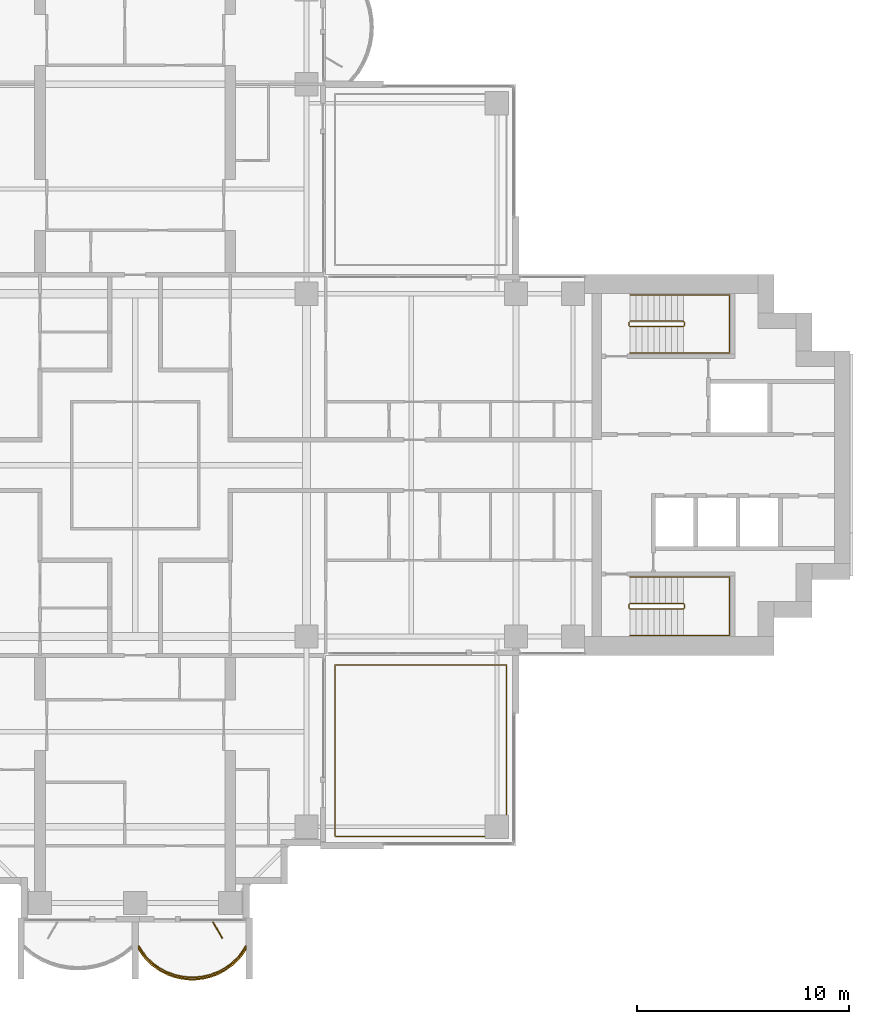
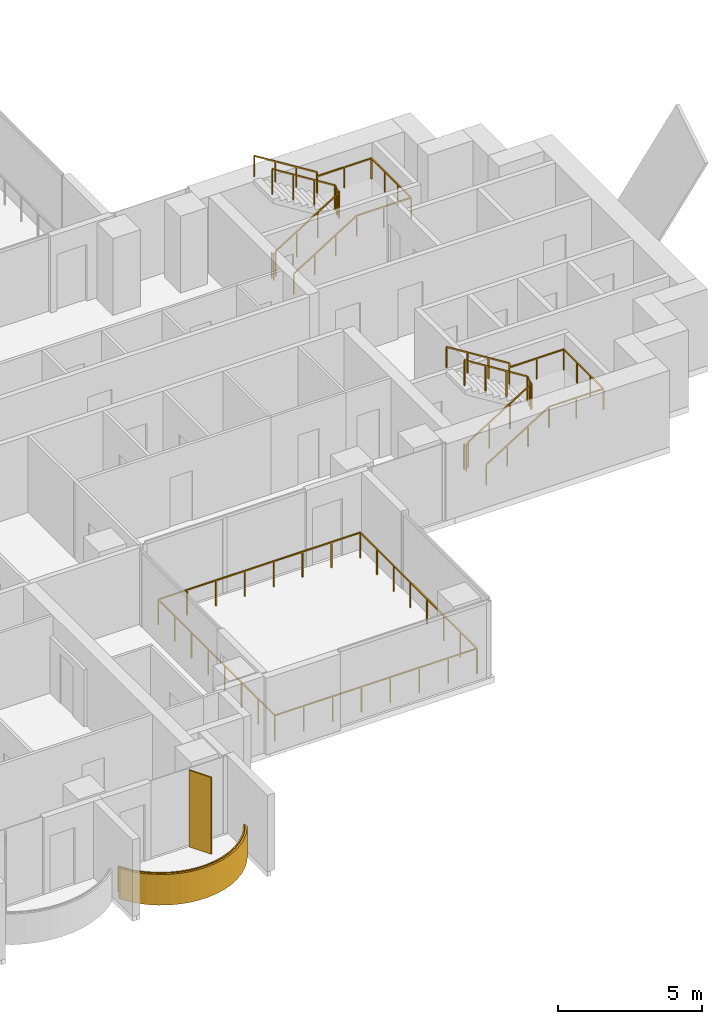
# One storey, part 16 of 18: 6 railings, 1 covering, 1 shading device.
"""IFC4 building model written with IfcOpenShell, lengths in metres."""

import ifcopenshell
import ifcopenshell.guid

model = None  # the IFC model being written
_history = None  # IfcOwnerHistory: only IFC2X3 demands one
_inside = {}  # id of a spatial element -> (the spatial element, [elements in it])
_under = {}  # id of a project, library or spatial element -> (it, [spatial elements below it])
_declared = {}  # id of a project -> (the project, [libraries it declares])
_typed = {}  # id of a type object -> (the type object, [elements of that type])
_made_of = {}  # id of a material, layer set ... -> (it, [elements and type objects made of it])


def new_model(schema):
    """Start an empty IFC model of exactly this schema.

    Asked for "IFC4X3", IfcOpenShell would pick the latest addendum, in which some entities
    have other attributes; the version numbers below select the first issue.
    IFC2X3 requires an IfcOwnerHistory on every rooted entity: one is made here for all.
    """
    global model, _history
    if schema == "IFC4X3":
        model = ifcopenshell.file(schema_version=(4, 3, 0, 0))
    else:
        model = ifcopenshell.file(schema=schema)
    _inside.clear()
    _under.clear()
    _declared.clear()
    _typed.clear()
    _made_of.clear()
    _history = None
    if model.schema == "IFC2X3":
        org = make("IfcOrganization", Name="unknown")
        user = make(
            "IfcPersonAndOrganization",
            ThePerson=make("IfcPerson", FamilyName="unknown"),
            TheOrganization=org,
        )
        app = make(
            "IfcApplication",
            ApplicationDeveloper=org,
            Version="unknown",
            ApplicationFullName="unknown",
            ApplicationIdentifier="unknown",
        )
        _history = make(
            "IfcOwnerHistory",
            OwningUser=user,
            OwningApplication=app,
            ChangeAction="ADDED",
            CreationDate=0,
        )
    return model


def make(cls, **values):
    """One entity of the class cls with the attributes given. An attribute that is None is left unset."""
    return model.create_entity(
        cls, **{name: value for name, value in values.items() if value is not None}
    )


def rooted(cls, **values):
    """An entity with a GlobalId (a new one), such as an element, a storey or a relation."""
    return make(cls, GlobalId=ifcopenshell.guid.new(), OwnerHistory=_history, **values)


def si_unit(unit_type, name, prefix=None):
    """IfcSIUnit, for example si_unit("LENGTHUNIT", "METRE", prefix="MILLI")."""
    return make("IfcSIUnit", UnitType=unit_type, Prefix=prefix, Name=name)


def assignment(units):
    """IfcUnitAssignment: the units of a project."""
    return None if units is None else make("IfcUnitAssignment", Units=units)


def point(xyz):
    """IfcCartesianPoint."""
    return None if xyz is None else make("IfcCartesianPoint", Coordinates=xyz)


def direction(xyz):
    """IfcDirection."""
    return None if xyz is None else make("IfcDirection", DirectionRatios=xyz)


def frame(location, z_axis=None, x_axis=None):
    """IfcAxis2Placement3D, a coordinate frame: its origin and axes. An axis left out is left unset."""
    return make(
        "IfcAxis2Placement3D",
        Location=point(location),
        Axis=direction(z_axis),
        RefDirection=direction(x_axis),
    )


def frame_2d(location, x_axis=None):
    """IfcAxis2Placement2D, a coordinate frame in the plane: its origin and x axis."""
    return make(
        "IfcAxis2Placement2D", Location=point(location), RefDirection=direction(x_axis)
    )


def origin():
    """The frame at (0, 0, 0) with its axes left unset."""
    return frame((0.0, 0.0, 0.0))


def origin_2d():
    """The frame at (0, 0) in the plane with its x axis left unset."""
    return frame_2d((0.0, 0.0))


def place(relative_to, where):
    """IfcLocalPlacement: puts the frame where relative to a parent placement (None: the world)."""
    return make(
        "IfcLocalPlacement", PlacementRelTo=relative_to, RelativePlacement=where
    )


def context(
    kind, dimensions, precision=None, world=None, true_north=None, identifier=None
):
    """IfcGeometricRepresentationContext, for example the 3D "Model" context."""
    return make(
        "IfcGeometricRepresentationContext",
        ContextIdentifier=identifier,
        ContextType=kind,
        CoordinateSpaceDimension=dimensions,
        Precision=precision,
        WorldCoordinateSystem=world,
        TrueNorth=true_north,
    )


def subcontext(parent, identifier, kind, view, scale=None):
    """IfcGeometricRepresentationSubContext, for example "Body" below "Model"."""
    return make(
        "IfcGeometricRepresentationSubContext",
        ContextIdentifier=identifier,
        ContextType=kind,
        ParentContext=parent,
        TargetScale=scale,
        TargetView=view,
    )


def project(units=None, contexts=None):
    """IfcProject with its units and contexts."""
    return rooted(
        "IfcProject",
        Name="project",
        RepresentationContexts=contexts,
        UnitsInContext=assignment(units),
    )


def spatial(cls, under=None, at=None, **own):
    """A site, building, storey or space (cls), placed at a placement, below another one or the project."""
    s = rooted(cls, ObjectPlacement=at, **own)
    if under is not None:
        _under.setdefault(under.id(), (under, []))[1].append(s)
    return s


def polyline(points):
    """IfcPolyline through the points."""
    return make("IfcPolyline", Points=[point(p) for p in points])


def profile(cls, at=None, kind="AREA", **sizes):
    """A parametric profile (cls). Its sizes go by their IFC names, for example OverallWidth=200.0."""
    return make(cls, ProfileType=kind, Position=at, **sizes)


def rectangle(**sizes):
    """IfcRectangleProfileDef."""
    return profile("IfcRectangleProfileDef", **sizes)


def outline(outer, holes=None, kind="AREA"):
    """IfcArbitraryClosedProfileDef: a profile drawn as a closed curve; with holes, ...WithVoids."""
    if holes is None:
        return make("IfcArbitraryClosedProfileDef", ProfileType=kind, OuterCurve=outer)
    return make(
        "IfcArbitraryProfileDefWithVoids",
        ProfileType=kind,
        OuterCurve=outer,
        InnerCurves=holes,
    )


def extrude(swept, where, along, depth):
    """IfcExtrudedAreaSolid: the profile swept, set in the frame where, extruded along a direction by depth."""
    return make(
        "IfcExtrudedAreaSolid",
        SweptArea=swept,
        Position=where,
        ExtrudedDirection=direction(along),
        Depth=depth,
    )


def shape(context_of_items, identifier, shape_type, items):
    """IfcShapeRepresentation: the items that make up one representation, for example the "Body"."""
    return make(
        "IfcShapeRepresentation",
        ContextOfItems=context_of_items,
        RepresentationIdentifier=identifier,
        RepresentationType=shape_type,
        Items=items,
    )


def material(Name=None, Category=None):
    """IfcMaterial."""
    return make("IfcMaterial", Name=Name, Category=Category)


def layer(
    of_material, thickness, ventilated=None, Name=None, Category=None, Priority=None
):
    """IfcMaterialLayer: one layer of a wall or slab, of a material (None: an air gap)."""
    return make(
        "IfcMaterialLayer",
        Material=of_material,
        LayerThickness=thickness,
        IsVentilated=ventilated,
        Name=Name,
        Category=Category,
        Priority=Priority,
    )


def layer_set(layers, Name=None):
    """IfcMaterialLayerSet."""
    return make("IfcMaterialLayerSet", MaterialLayers=layers, LayerSetName=Name)


def made_of(thing, what):
    """Note that an element or type object is made of a material, layer set ...; save() writes the relation."""
    if what is not None:
        _made_of.setdefault(what.id(), (what, []))[1].append(thing)
    return thing


def type_object(cls, material=None, **own):
    """A type object (cls), such as IfcWallType, which elements share."""
    return made_of(rooted(cls, **own), material)


def element(
    cls,
    number,
    at=None,
    inside=None,
    cuts=None,
    type_object=None,
    material=None,
    context=None,
    identifier="Body",
    shape_type=None,
    held_by="IfcProductDefinitionShape",
    body=None,
    shapes=None,
    **own,
):
    """One element of the class cls, such as IfcWall. Its Tag is "e" and its number.

    at: its placement. inside: the storey or other place that contains it. cuts: it is an
    opening in that element (IfcRelVoidsElement). A single representation is given by context,
    identifier, shape_type and body (its items); several are given by shapes. held_by: the class
    of the entity that holds the representations. save() writes the other relations.
    """
    e = rooted(cls, Tag="e%d" % number, ObjectPlacement=at, **own)
    if body is not None:
        shapes = [shape(context, identifier, shape_type, body)]
    if shapes is not None:
        e.Representation = make(held_by, Representations=shapes)
    if inside is not None:
        _inside.setdefault(inside.id(), (inside, []))[1].append(e)
    if cuts is not None:
        rooted(
            "IfcRelVoidsElement", RelatingBuildingElement=cuts, RelatedOpeningElement=e
        )
    if type_object is not None:
        _typed.setdefault(type_object.id(), (type_object, []))[1].append(e)
    return made_of(e, material)


def aggregate(whole, parts):
    """IfcRelAggregates: a whole, such as a stair, and the parts it consists of."""
    return rooted("IfcRelAggregates", RelatingObject=whole, RelatedObjects=parts)


def save(model, path):
    """Write the relations noted so far, then the file.

    IfcRelAggregates (storeys below a building ...), IfcRelContainedInSpatialStructure (elements
    in a storey), IfcRelDefinesByType, IfcRelAssociatesMaterial and IfcRelDeclares: one each for
    every whole, place, type object, material and project.
    """
    for whole, parts in _under.values():
        aggregate(whole, parts)
    for where, things in _inside.values():
        rooted(
            "IfcRelContainedInSpatialStructure",
            RelatedElements=things,
            RelatingStructure=where,
        )
    for kind, things in _typed.values():
        rooted("IfcRelDefinesByType", RelatedObjects=things, RelatingType=kind)
    for what, things in _made_of.values():
        rooted("IfcRelAssociatesMaterial", RelatedObjects=things, RelatingMaterial=what)
    for by, libraries in _declared.values():
        rooted("IfcRelDeclares", RelatingContext=by, RelatedDefinitions=libraries)
    model.write(path)


model = new_model("IFC4")

# Units and contexts
model_context = context("Model", 3, precision=1e-05, world=origin(), true_north=direction((0.0, 1.0)))
body_context = subcontext(model_context, "Body", "Model", "MODEL_VIEW")
ifc_project = project(units=[si_unit("LENGTHUNIT", "METRE"), si_unit("AREAUNIT", "SQUARE_METRE"), si_unit("VOLUMEUNIT", "CUBIC_METRE"), si_unit("PLANEANGLEUNIT", "RADIAN"), si_unit("MASSUNIT", "GRAM", prefix="KILO")], contexts=[model_context])

# Site, building, storey
site_placement = place(None, origin())
site = spatial("IfcSite", under=ifc_project, at=site_placement, CompositionType="ELEMENT")
building_placement = place(site_placement, origin())
building = spatial("IfcBuilding", under=site, at=building_placement, Name="Perihelion Cross Residences", CompositionType="ELEMENT")
storey_placement = place(building_placement, frame((0.0, 0.0, 140.89990234375)))
storey = spatial("IfcBuildingStorey", under=building, at=storey_placement, Name="L34", CompositionType="ELEMENT", Elevation=140.89990234375)

# Covering
ifc_material_1 = material(Name="Bronze anodised aluminium", Category="aluminium")
ifc_layer_1 = layer(ifc_material_1, 0.070068359375)
ifc_layer_set_1 = layer_set([ifc_layer_1], Name="Balcony fascia 1300")
covering_type = type_object("IfcCoveringType", Name="Balcony fascia 1300", PredefinedType="CLADDING", material=ifc_layer_set_1)
covering_placement = place(storey_placement, frame((0.0, 0.0, -0.199951171875)))
element("IfcCovering", 1, at=covering_placement, inside=storey, type_object=covering_type, Name="Fascia BF1 L34 south tip south bay 2", PredefinedType="CLADDING", context=body_context, shape_type="SweptSolid", body=[
    extrude(outline(polyline([(0.43701171875, -23.322509765625), (0.78515625, -23.66064453125), (1.13330078125, -23.90869140625), (1.4814453125, -24.091064453125), (1.82958984375, -24.22021484375), (2.177734375, -24.30322265625), (2.52587890625, -24.343994140625), (2.8740234375, -24.343994140625), (3.22216796875, -24.30322265625), (3.5703125, -24.22021484375), (3.91845703125, -24.091064453125), (4.2666015625, -23.90869140625), (4.61474609375, -23.66064453125), (4.963134765625, -23.322509765625), (5.25, -22.92041015625), (5.25, -22.800048828125), (4.909912109375, -23.27685546875), (4.570068359375, -23.60693359375), (4.22998046875, -23.84912109375), (3.889892578125, -24.027099609375), (3.550048828125, -24.1533203125), (3.2099609375, -24.234375), (2.8701171875, -24.274169921875), (2.530029296875, -24.274169921875), (2.18994140625, -24.234375), (1.85009765625, -24.1533203125), (1.510009765625, -24.027099609375), (1.169921875, -23.84912109375), (0.830078125, -23.60693359375), (0.489990234375, -23.27685546875), (0.14990234375, -22.800048828125), (0.14990234375, -22.92041015625), (0.43701171875, -23.322509765625)])), origin(), (0.0, 0.0, 1.0), 1.300048828125),
])

# Railings
ifc_material_2 = material(Name="Bronze anodised aluminium", Category="aluminium")
railing_type_1 = type_object("IfcRailingType", Name="Balcony guard 1100", PredefinedType="GUARDRAIL", material=ifc_material_2)
railing_1_placement = place(storey_placement, frame((0.175048828125, -22.739990234375, 0.0)))
element("IfcRailing", 2, at=railing_1_placement, inside=storey, type_object=railing_type_1, Name="Guard GU1 L34 south tip south bay 2 balcony", PredefinedType="GUARDRAIL", context=body_context, shape_type="SweptSolid", body=[
    extrude(rectangle(XDim=0.048095703125, YDim=0.048095703125, at=origin_2d()), frame((0.0, 0.0, 1.076171875), z_axis=(0.551145731138, -0.834409002258, 0.0), x_axis=(0.834409002258, 0.551145731138, 0.0)), (0.0, 0.0, 1.0), 0.571533203125),
    extrude(rectangle(XDim=0.048095703125, YDim=0.048095703125, at=origin_2d()), frame((0.31494140625, -0.476806640625, 1.076171875), z_axis=(0.717588263781, -0.696467575472, 0.0), x_axis=(0.696467575472, 0.717588263781, 0.0)), (0.0, 0.0, 1.0), 0.473876953125),
    extrude(rectangle(XDim=0.048095703125, YDim=0.048095703125, at=origin_2d()), frame((0.655029296875, -0.806884765625, 1.076171875), z_axis=(0.814365457194, -0.580352394782, 0.0), x_axis=(0.580352394782, 0.814365457194, 0.0)), (0.0, 0.0, 1.0), 0.417236328125),
    extrude(rectangle(XDim=0.048095703125, YDim=0.048095703125, at=origin_2d()), frame((0.994873046875, -1.049072265625, 1.076171875), z_axis=(0.885744400902, -0.464173304134, 0.0), x_axis=(0.464173304134, 0.885744400902, 0.0)), (0.0, 0.0, 1.0), 0.384033203125),
    extrude(rectangle(XDim=0.048095703125, YDim=0.048095703125, at=origin_2d()), frame((1.3349609375, -1.227294921875, 1.076171875), z_axis=(0.937732519052, -0.347358205191, 0.0), x_axis=(0.347358205191, 0.937732519052, 0.0)), (0.0, 0.0, 1.0), 0.362548828125),
    extrude(rectangle(XDim=0.048095703125, YDim=0.048095703125, at=origin_2d()), frame((1.675048828125, -1.353271484375, 1.076171875), z_axis=(0.972716168284, -0.231998396458, 0.0), x_axis=(0.231998396458, 0.972716168284, 0.0)), (0.0, 0.0, 1.0), 0.349365234375),
    extrude(rectangle(XDim=0.048095703125, YDim=0.048095703125, at=origin_2d()), frame((2.014892578125, -1.434326171875, 1.076171875), z_axis=(0.993223414934, -0.116220686744, 0.0), x_axis=(0.116220686744, 0.993223414934, 0.0)), (0.0, 0.0, 1.0), 0.342529296875),
    extrude(rectangle(XDim=0.048095703125, YDim=0.048095703125, at=origin_2d()), frame((2.35498046875, -1.47412109375, 1.076171875), z_axis=(1.0, 0.0, 0.0), x_axis=(0.0, 1.0, 0.0)), (0.0, 0.0, 1.0), 0.340087890625),
    extrude(rectangle(XDim=0.048095703125, YDim=0.048095703125, at=origin_2d()), frame((2.695068359375, -1.47412109375, 1.076171875), z_axis=(0.993213773886, 0.116303049672, 0.0), x_axis=(-0.116303049672, 0.993213773886, 0.0)), (0.0, 0.0, 1.0), 0.34228515625),
    extrude(rectangle(XDim=0.048095703125, YDim=0.048095703125, at=origin_2d()), frame((3.034912109375, -1.434326171875, 1.076171875), z_axis=(0.972753741142, 0.231840805498, 0.0), x_axis=(-0.231840805498, 0.972753741142, 0.0)), (0.0, 0.0, 1.0), 0.349609375),
    extrude(rectangle(XDim=0.048095703125, YDim=0.048095703125, at=origin_2d()), frame((3.375, -1.353271484375, 1.076171875), z_axis=(0.937651218339, 0.347577606798, 0.0), x_axis=(-0.347577606798, 0.937651218339, 0.0)), (0.0, 0.0, 1.0), 0.362548828125),
    extrude(rectangle(XDim=0.048095703125, YDim=0.048095703125, at=origin_2d()), frame((3.71484375, -1.227294921875, 1.076171875), z_axis=(0.885744400902, 0.464173304134, 0.0), x_axis=(-0.464173304134, 0.885744400902, 0.0)), (0.0, 0.0, 1.0), 0.384033203125),
    extrude(rectangle(XDim=0.048095703125, YDim=0.048095703125, at=origin_2d()), frame((4.054931640625, -1.049072265625, 1.076171875), z_axis=(0.814562360662, 0.580075995532, 0.0), x_axis=(-0.580075995532, 0.814562360662, 0.0)), (0.0, 0.0, 1.0), 0.41748046875),
    extrude(rectangle(XDim=0.048095703125, YDim=0.048095703125, at=origin_2d()), frame((4.39501953125, -0.806884765625, 1.076171875), z_axis=(0.71733824833, 0.696725080274, 0.0), x_axis=(-0.696725080274, 0.71733824833, 0.0)), (0.0, 0.0, 1.0), 0.473876953125),
    extrude(rectangle(XDim=0.048095703125, YDim=0.048095703125, at=origin_2d()), frame((4.73486328125, -0.476806640625, 1.076171875), z_axis=(0.55144309028, 0.834212513801, 0.0), x_axis=(-0.834212513801, 0.55144309028, 0.0)), (0.0, 0.0, 1.0), 0.571533203125),
    extrude(rectangle(XDim=0.0419921875, YDim=0.0419921875, at=origin_2d()), origin(), (0.0, 0.0, 1.0), 1.052001953125),
    extrude(rectangle(XDim=0.0419921875, YDim=0.0419921875, at=origin_2d()), frame((0.31494140625, -0.476806640625, 0.0)), (0.0, 0.0, 1.0), 1.052001953125),
    extrude(rectangle(XDim=0.0419921875, YDim=0.0419921875, at=origin_2d()), frame((0.655029296875, -0.806884765625, 0.0)), (0.0, 0.0, 1.0), 1.052001953125),
    extrude(rectangle(XDim=0.0419921875, YDim=0.0419921875, at=origin_2d()), frame((0.994873046875, -1.049072265625, 0.0)), (0.0, 0.0, 1.0), 1.052001953125),
    extrude(rectangle(XDim=0.0419921875, YDim=0.0419921875, at=origin_2d()), frame((1.3349609375, -1.227294921875, 0.0)), (0.0, 0.0, 1.0), 1.052001953125),
    extrude(rectangle(XDim=0.0419921875, YDim=0.0419921875, at=origin_2d()), frame((1.675048828125, -1.353271484375, 0.0)), (0.0, 0.0, 1.0), 1.052001953125),
    extrude(rectangle(XDim=0.0419921875, YDim=0.0419921875, at=origin_2d()), frame((2.014892578125, -1.434326171875, 0.0)), (0.0, 0.0, 1.0), 1.052001953125),
    extrude(rectangle(XDim=0.0419921875, YDim=0.0419921875, at=origin_2d()), frame((2.35498046875, -1.47412109375, 0.0)), (0.0, 0.0, 1.0), 1.052001953125),
    extrude(rectangle(XDim=0.0419921875, YDim=0.0419921875, at=origin_2d()), frame((2.695068359375, -1.47412109375, 0.0)), (0.0, 0.0, 1.0), 1.052001953125),
    extrude(rectangle(XDim=0.0419921875, YDim=0.0419921875, at=origin_2d()), frame((3.034912109375, -1.434326171875, 0.0)), (0.0, 0.0, 1.0), 1.052001953125),
    extrude(rectangle(XDim=0.0419921875, YDim=0.0419921875, at=origin_2d()), frame((3.375, -1.353271484375, 0.0)), (0.0, 0.0, 1.0), 1.052001953125),
    extrude(rectangle(XDim=0.0419921875, YDim=0.0419921875, at=origin_2d()), frame((3.71484375, -1.227294921875, 0.0)), (0.0, 0.0, 1.0), 1.052001953125),
    extrude(rectangle(XDim=0.0419921875, YDim=0.0419921875, at=origin_2d()), frame((4.054931640625, -1.049072265625, 0.0)), (0.0, 0.0, 1.0), 1.052001953125),
    extrude(rectangle(XDim=0.0419921875, YDim=0.0419921875, at=origin_2d()), frame((4.39501953125, -0.806884765625, 0.0)), (0.0, 0.0, 1.0), 1.052001953125),
    extrude(rectangle(XDim=0.0419921875, YDim=0.0419921875, at=origin_2d()), frame((4.73486328125, -0.476806640625, 0.0)), (0.0, 0.0, 1.0), 1.052001953125),
    extrude(rectangle(XDim=0.0419921875, YDim=0.0419921875, at=origin_2d()), frame((5.050048828125, 0.0, 0.0)), (0.0, 0.0, 1.0), 1.052001953125),
])
railing_2_placement = place(storey_placement, frame((17.550048828125, -17.550048828125, 0.0)))
element("IfcRailing", 3, at=railing_2_placement, inside=storey, type_object=railing_type_1, Name="Guard GU1 L34 pocket south-east 1", PredefinedType="GUARDRAIL", context=body_context, shape_type="SweptSolid", body=[
    extrude(rectangle(XDim=0.048095703125, YDim=0.048095703125, at=origin_2d()), frame((0.0, 0.0, 1.076171875), z_axis=(-1.0, 0.0, 0.0), x_axis=(0.0, -1.0, 0.0)), (0.0, 0.0, 1.0), 8.10009765625),
    extrude(rectangle(XDim=0.048095703125, YDim=0.048095703125, at=origin_2d()), frame((-8.10009765625, 0.0, 1.076171875), z_axis=(0.0, 1.0, 0.0), x_axis=(-1.0, 0.0, 0.0)), (0.0, 0.0, 1.0), 8.10009765625),
    extrude(rectangle(XDim=0.048095703125, YDim=0.048095703125, at=origin_2d()), frame((-8.10009765625, 8.10009765625, 1.076171875), z_axis=(1.0, 0.0, 0.0), x_axis=(0.0, 1.0, 0.0)), (0.0, 0.0, 1.0), 8.10009765625),
    extrude(rectangle(XDim=0.048095703125, YDim=0.048095703125, at=origin_2d()), frame((0.0, 8.10009765625, 1.076171875), z_axis=(0.0, -1.0, 0.0), x_axis=(1.0, 0.0, 0.0)), (0.0, 0.0, 1.0), 8.10009765625),
    extrude(rectangle(XDim=0.0419921875, YDim=0.0419921875, at=origin_2d()), origin(), (0.0, 0.0, 1.0), 1.052001953125),
    extrude(rectangle(XDim=0.0419921875, YDim=0.0419921875, at=origin_2d()), frame((-1.1572265625, 0.0, 0.0)), (0.0, 0.0, 1.0), 1.052001953125),
    extrude(rectangle(XDim=0.0419921875, YDim=0.0419921875, at=origin_2d()), frame((-2.314208984375, 0.0, 0.0)), (0.0, 0.0, 1.0), 1.052001953125),
    extrude(rectangle(XDim=0.0419921875, YDim=0.0419921875, at=origin_2d()), frame((-3.471435546875, 0.0, 0.0)), (0.0, 0.0, 1.0), 1.052001953125),
    extrude(rectangle(XDim=0.0419921875, YDim=0.0419921875, at=origin_2d()), frame((-4.628662109375, 0.0, 0.0)), (0.0, 0.0, 1.0), 1.052001953125),
    extrude(rectangle(XDim=0.0419921875, YDim=0.0419921875, at=origin_2d()), frame((-5.785888671875, 0.0, 0.0)), (0.0, 0.0, 1.0), 1.052001953125),
    extrude(rectangle(XDim=0.0419921875, YDim=0.0419921875, at=origin_2d()), frame((-6.94287109375, 0.0, 0.0)), (0.0, 0.0, 1.0), 1.052001953125),
    extrude(rectangle(XDim=0.0419921875, YDim=0.0419921875, at=origin_2d()), frame((-8.10009765625, 0.0, 0.0)), (0.0, 0.0, 1.0), 1.052001953125),
    extrude(rectangle(XDim=0.0419921875, YDim=0.0419921875, at=origin_2d()), frame((-8.10009765625, 1.1572265625, 0.0)), (0.0, 0.0, 1.0), 1.052001953125),
    extrude(rectangle(XDim=0.0419921875, YDim=0.0419921875, at=origin_2d()), frame((-8.10009765625, 2.314208984375, 0.0)), (0.0, 0.0, 1.0), 1.052001953125),
    extrude(rectangle(XDim=0.0419921875, YDim=0.0419921875, at=origin_2d()), frame((-8.10009765625, 3.471435546875, 0.0)), (0.0, 0.0, 1.0), 1.052001953125),
    extrude(rectangle(XDim=0.0419921875, YDim=0.0419921875, at=origin_2d()), frame((-8.10009765625, 4.628662109375, 0.0)), (0.0, 0.0, 1.0), 1.052001953125),
    extrude(rectangle(XDim=0.0419921875, YDim=0.0419921875, at=origin_2d()), frame((-8.10009765625, 5.785888671875, 0.0)), (0.0, 0.0, 1.0), 1.052001953125),
    extrude(rectangle(XDim=0.0419921875, YDim=0.0419921875, at=origin_2d()), frame((-8.10009765625, 6.94287109375, 0.0)), (0.0, 0.0, 1.0), 1.052001953125),
    extrude(rectangle(XDim=0.0419921875, YDim=0.0419921875, at=origin_2d()), frame((-8.10009765625, 8.10009765625, 0.0)), (0.0, 0.0, 1.0), 1.052001953125),
    extrude(rectangle(XDim=0.0419921875, YDim=0.0419921875, at=origin_2d()), frame((-6.94287109375, 8.10009765625, 0.0)), (0.0, 0.0, 1.0), 1.052001953125),
    extrude(rectangle(XDim=0.0419921875, YDim=0.0419921875, at=origin_2d()), frame((-5.785888671875, 8.10009765625, 0.0)), (0.0, 0.0, 1.0), 1.052001953125),
    extrude(rectangle(XDim=0.0419921875, YDim=0.0419921875, at=origin_2d()), frame((-4.628662109375, 8.10009765625, 0.0)), (0.0, 0.0, 1.0), 1.052001953125),
    extrude(rectangle(XDim=0.0419921875, YDim=0.0419921875, at=origin_2d()), frame((-3.471435546875, 8.10009765625, 0.0)), (0.0, 0.0, 1.0), 1.052001953125),
    extrude(rectangle(XDim=0.0419921875, YDim=0.0419921875, at=origin_2d()), frame((-2.314208984375, 8.10009765625, 0.0)), (0.0, 0.0, 1.0), 1.052001953125),
    extrude(rectangle(XDim=0.0419921875, YDim=0.0419921875, at=origin_2d()), frame((-1.1572265625, 8.10009765625, 0.0)), (0.0, 0.0, 1.0), 1.052001953125),
    extrude(rectangle(XDim=0.0419921875, YDim=0.0419921875, at=origin_2d()), frame((0.0, 8.10009765625, 0.0)), (0.0, 0.0, 1.0), 1.052001953125),
    extrude(rectangle(XDim=0.0419921875, YDim=0.0419921875, at=origin_2d()), frame((0.0, 6.94287109375, 0.0)), (0.0, 0.0, 1.0), 1.052001953125),
    extrude(rectangle(XDim=0.0419921875, YDim=0.0419921875, at=origin_2d()), frame((0.0, 5.785888671875, 0.0)), (0.0, 0.0, 1.0), 1.052001953125),
    extrude(rectangle(XDim=0.0419921875, YDim=0.0419921875, at=origin_2d()), frame((0.0, 4.628662109375, 0.0)), (0.0, 0.0, 1.0), 1.052001953125),
    extrude(rectangle(XDim=0.0419921875, YDim=0.0419921875, at=origin_2d()), frame((0.0, 3.471435546875, 0.0)), (0.0, 0.0, 1.0), 1.052001953125),
    extrude(rectangle(XDim=0.0419921875, YDim=0.0419921875, at=origin_2d()), frame((0.0, 2.314208984375, 0.0)), (0.0, 0.0, 1.0), 1.052001953125),
    extrude(rectangle(XDim=0.0419921875, YDim=0.0419921875, at=origin_2d()), frame((0.0, 1.1572265625, 0.0)), (0.0, 0.0, 1.0), 1.052001953125),
])

# Shading device
ifc_material_3 = material(Name="Bronze anodised aluminium", Category="aluminium")
ifc_layer_2 = layer(ifc_material_3, 0.050048828125)
ifc_layer_set_2 = layer_set([ifc_layer_2], Name="Bronze fin 900")
shading_device_type = type_object("IfcShadingDeviceType", Name="Bronze fin 900", PredefinedType="USERDEFINED", material=ifc_layer_set_2)
shading_device_placement = place(storey_placement, frame((3.89990234375, -21.98974609375, 0.0), z_axis=(0.0, 0.0, 1.0), x_axis=(0.5, -0.866025403784, 0.0)))
element("IfcShadingDevice", 4, at=shading_device_placement, inside=storey, type_object=shading_device_type, Name="Fin FN1 L34 south tip south bay 2", ObjectType="FIN", PredefinedType="USERDEFINED", context=body_context, shape_type="SweptSolid", body=[
    extrude(rectangle(XDim=0.89990234375, YDim=0.050048828125, at=origin_2d()), origin(), (0.0, 0.0, 1.0), 3.25),
])

# Railings
ifc_material_4 = material(Name="Stainless steel", Category="steel")
railing_type_2 = type_object("IfcRailingType", Name="Stair guard 1100", PredefinedType="GUARDRAIL", material=ifc_material_4)
railing_3_placement = place(storey_placement, frame((23.35009765625, 6.75, 0.0)))
element("IfcRailing", 5, at=railing_3_placement, inside=storey, type_object=railing_type_2, Name="L34 ST-E1 stair guard 1", PredefinedType="GUARDRAIL", context=body_context, shape_type="SweptSolid", body=[
    extrude(rectangle(XDim=0.048095703125, YDim=0.048095703125, at=origin_2d()), frame((0.0, 0.0, 1.076171875), z_axis=(0.0, -1.0, 0.0), x_axis=(1.0, 0.0, 0.0)), (0.0, 0.0, 1.0), 0.14990234375),
    extrude(rectangle(XDim=0.048095703125, YDim=0.048095703125, at=origin_2d()), frame((0.0, -0.14990234375, 1.076171875), z_axis=(0.263862480399, -0.265155923931, 0.927399011991), x_axis=(0.708833529934, 0.705375805398, 0.0)), (0.0, 0.0, 1.0), 0.188720703125),
    extrude(rectangle(XDim=0.048095703125, YDim=0.048095703125, at=origin_2d()), frame((0.0498046875, -0.199951171875, 1.2509765625), z_axis=(0.848007534815, 0.0, 0.529984170421), x_axis=(0.0, 1.0, 0.0)), (0.0, 0.0, 1.0), 2.9716796875),
    extrude(rectangle(XDim=0.048095703125, YDim=0.048095703125, at=origin_2d()), frame((2.56982421875, -0.199951171875, 2.826171875), z_axis=(0.707106781187, 0.707106781187, 0.0), x_axis=(-0.707106781187, 0.707106781187, 0.0)), (0.0, 0.0, 1.0), 0.07080078125),
    extrude(rectangle(XDim=0.048095703125, YDim=0.048095703125, at=origin_2d()), frame((2.619873046875, -0.14990234375, 2.826171875), z_axis=(0.0, 1.0, 0.0), x_axis=(-1.0, 0.0, 0.0)), (0.0, 0.0, 1.0), 0.14990234375),
    extrude(rectangle(XDim=0.048095703125, YDim=0.048095703125, at=origin_2d()), frame((2.619873046875, 0.0, 2.826171875), z_axis=(-0.265065253269, 0.265065253269, 0.927081885822), x_axis=(-0.707106781187, -0.707106781187, 0.0)), (0.0, 0.0, 1.0), 0.188720703125),
    extrude(rectangle(XDim=0.048095703125, YDim=0.048095703125, at=origin_2d()), frame((2.56982421875, 0.050048828125, 3.0009765625), z_axis=(-0.848007534815, 0.0, 0.529984170421), x_axis=(0.0, -1.0, 0.0)), (0.0, 0.0, 1.0), 2.9716796875),
    extrude(rectangle(XDim=0.0419921875, YDim=0.0419921875, at=origin_2d()), origin(), (0.0, 0.0, 1.0), 1.052001953125),
    extrude(rectangle(XDim=0.0419921875, YDim=0.0419921875, at=origin_2d()), frame((0.0, -0.14990234375, 0.0)), (0.0, 0.0, 1.0), 1.052001953125),
    extrude(rectangle(XDim=0.0419921875, YDim=0.0419921875, at=origin_2d()), frame((0.0498046875, -0.199951171875, 0.175048828125)), (0.0, 0.0, 1.0), 1.052001953125),
    extrude(rectangle(XDim=0.0419921875, YDim=0.0419921875, at=origin_2d()), frame((0.889892578125, -0.199951171875, 0.699951171875)), (0.0, 0.0, 1.0), 1.052001953125),
    extrude(rectangle(XDim=0.0419921875, YDim=0.0419921875, at=origin_2d()), frame((1.729736328125, -0.199951171875, 1.22509765625)), (0.0, 0.0, 1.0), 1.052001953125),
    extrude(rectangle(XDim=0.0419921875, YDim=0.0419921875, at=origin_2d()), frame((2.56982421875, -0.199951171875, 1.75)), (0.0, 0.0, 1.0), 1.052001953125),
    extrude(rectangle(XDim=0.0419921875, YDim=0.0419921875, at=origin_2d()), frame((2.619873046875, -0.14990234375, 1.75)), (0.0, 0.0, 1.0), 1.052001953125),
    extrude(rectangle(XDim=0.0419921875, YDim=0.0419921875, at=origin_2d()), frame((2.619873046875, 0.0, 1.75)), (0.0, 0.0, 1.0), 1.052001953125),
    extrude(rectangle(XDim=0.0419921875, YDim=0.0419921875, at=origin_2d()), frame((2.56982421875, 0.050048828125, 1.925048828125)), (0.0, 0.0, 1.0), 1.052001953125),
    extrude(rectangle(XDim=0.0419921875, YDim=0.0419921875, at=origin_2d()), frame((1.729736328125, 0.050048828125, 2.449951171875)), (0.0, 0.0, 1.0), 1.052001953125),
    extrude(rectangle(XDim=0.0419921875, YDim=0.0419921875, at=origin_2d()), frame((0.889892578125, 0.050048828125, 2.97509765625)), (0.0, 0.0, 1.0), 1.052001953125),
    extrude(rectangle(XDim=0.0419921875, YDim=0.0419921875, at=origin_2d()), frame((0.0498046875, 0.050048828125, 3.5)), (0.0, 0.0, 1.0), 1.052001953125),
])
railing_4_placement = place(storey_placement, frame((23.35009765625, -6.60009765625, 0.0)))
element("IfcRailing", 6, at=railing_4_placement, inside=storey, type_object=railing_type_2, Name="L34 ST-E2 stair guard 1", PredefinedType="GUARDRAIL", context=body_context, shape_type="SweptSolid", body=[
    extrude(rectangle(XDim=0.048095703125, YDim=0.048095703125, at=origin_2d()), frame((0.0, 0.0, 1.076171875), z_axis=(0.0, -1.0, 0.0), x_axis=(1.0, 0.0, 0.0)), (0.0, 0.0, 1.0), 0.14990234375),
    extrude(rectangle(XDim=0.048095703125, YDim=0.048095703125, at=origin_2d()), frame((0.0, -0.14990234375, 1.076171875), z_axis=(0.263862480399, -0.265155923931, 0.927399011991), x_axis=(0.708833529934, 0.705375805398, 0.0)), (0.0, 0.0, 1.0), 0.188720703125),
    extrude(rectangle(XDim=0.048095703125, YDim=0.048095703125, at=origin_2d()), frame((0.0498046875, -0.199951171875, 1.2509765625), z_axis=(0.848007534815, 0.0, 0.529984170421), x_axis=(0.0, 1.0, 0.0)), (0.0, 0.0, 1.0), 2.9716796875),
    extrude(rectangle(XDim=0.048095703125, YDim=0.048095703125, at=origin_2d()), frame((2.56982421875, -0.199951171875, 2.826171875), z_axis=(0.707106781187, 0.707106781187, 0.0), x_axis=(-0.707106781187, 0.707106781187, 0.0)), (0.0, 0.0, 1.0), 0.07080078125),
    extrude(rectangle(XDim=0.048095703125, YDim=0.048095703125, at=origin_2d()), frame((2.619873046875, -0.14990234375, 2.826171875), z_axis=(0.0, 1.0, 0.0), x_axis=(-1.0, 0.0, 0.0)), (0.0, 0.0, 1.0), 0.14990234375),
    extrude(rectangle(XDim=0.048095703125, YDim=0.048095703125, at=origin_2d()), frame((2.619873046875, 0.0, 2.826171875), z_axis=(-0.265065253269, 0.265065253269, 0.927081885822), x_axis=(-0.707106781187, -0.707106781187, 0.0)), (0.0, 0.0, 1.0), 0.188720703125),
    extrude(rectangle(XDim=0.048095703125, YDim=0.048095703125, at=origin_2d()), frame((2.56982421875, 0.050048828125, 3.0009765625), z_axis=(-0.848007534815, 0.0, 0.529984170421), x_axis=(0.0, -1.0, 0.0)), (0.0, 0.0, 1.0), 2.9716796875),
    extrude(rectangle(XDim=0.0419921875, YDim=0.0419921875, at=origin_2d()), origin(), (0.0, 0.0, 1.0), 1.052001953125),
    extrude(rectangle(XDim=0.0419921875, YDim=0.0419921875, at=origin_2d()), frame((0.0, -0.14990234375, 0.0)), (0.0, 0.0, 1.0), 1.052001953125),
    extrude(rectangle(XDim=0.0419921875, YDim=0.0419921875, at=origin_2d()), frame((0.0498046875, -0.199951171875, 0.175048828125)), (0.0, 0.0, 1.0), 1.052001953125),
    extrude(rectangle(XDim=0.0419921875, YDim=0.0419921875, at=origin_2d()), frame((0.889892578125, -0.199951171875, 0.699951171875)), (0.0, 0.0, 1.0), 1.052001953125),
    extrude(rectangle(XDim=0.0419921875, YDim=0.0419921875, at=origin_2d()), frame((1.729736328125, -0.199951171875, 1.22509765625)), (0.0, 0.0, 1.0), 1.052001953125),
    extrude(rectangle(XDim=0.0419921875, YDim=0.0419921875, at=origin_2d()), frame((2.56982421875, -0.199951171875, 1.75)), (0.0, 0.0, 1.0), 1.052001953125),
    extrude(rectangle(XDim=0.0419921875, YDim=0.0419921875, at=origin_2d()), frame((2.619873046875, -0.14990234375, 1.75)), (0.0, 0.0, 1.0), 1.052001953125),
    extrude(rectangle(XDim=0.0419921875, YDim=0.0419921875, at=origin_2d()), frame((2.619873046875, 0.0, 1.75)), (0.0, 0.0, 1.0), 1.052001953125),
    extrude(rectangle(XDim=0.0419921875, YDim=0.0419921875, at=origin_2d()), frame((2.56982421875, 0.050048828125, 1.925048828125)), (0.0, 0.0, 1.0), 1.052001953125),
    extrude(rectangle(XDim=0.0419921875, YDim=0.0419921875, at=origin_2d()), frame((1.729736328125, 0.050048828125, 2.449951171875)), (0.0, 0.0, 1.0), 1.052001953125),
    extrude(rectangle(XDim=0.0419921875, YDim=0.0419921875, at=origin_2d()), frame((0.889892578125, 0.050048828125, 2.97509765625)), (0.0, 0.0, 1.0), 1.052001953125),
    extrude(rectangle(XDim=0.0419921875, YDim=0.0419921875, at=origin_2d()), frame((0.0498046875, 0.050048828125, 3.5)), (0.0, 0.0, 1.0), 1.052001953125),
])
ifc_material_5 = material(Name="Stainless steel", Category="steel")
railing_type_3 = type_object("IfcRailingType", Name="Stair handrail 900", PredefinedType="HANDRAIL", material=ifc_material_5)
railing_5_placement = place(storey_placement, frame((23.39990234375, 5.300048828125, 0.175048828125)))
element("IfcRailing", 7, at=railing_5_placement, inside=storey, type_object=railing_type_3, Name="L34 ST-E1 stair handrail 1", PredefinedType="HANDRAIL", context=body_context, shape_type="SweptSolid", body=[
    extrude(rectangle(XDim=0.048095703125, YDim=0.048095703125, at=origin_2d()), frame((0.0, 0.0, 0.8759765625), z_axis=(0.848007534815, 0.0, 0.529984170421), x_axis=(0.0, 1.0, 0.0)), (0.0, 0.0, 1.0), 2.9716796875),
    extrude(rectangle(XDim=0.048095703125, YDim=0.048095703125, at=origin_2d()), frame((2.52001953125, 0.0, 2.45068359375), z_axis=(1.0, 0.0, 0.0), x_axis=(0.0, 1.0, 0.0)), (0.0, 0.0, 1.0), 2.18017578125),
    extrude(rectangle(XDim=0.048095703125, YDim=0.048095703125, at=origin_2d()), frame((4.7001953125, 0.0, 2.45068359375), z_axis=(0.0, 1.0, 0.0), x_axis=(-1.0, 0.0, 0.0)), (0.0, 0.0, 1.0), 2.75),
    extrude(rectangle(XDim=0.048095703125, YDim=0.048095703125, at=origin_2d()), frame((4.7001953125, 2.75, 2.45068359375), z_axis=(-1.0, 0.0, 0.0), x_axis=(0.0, -1.0, 0.0)), (0.0, 0.0, 1.0), 2.18017578125),
    extrude(rectangle(XDim=0.048095703125, YDim=0.048095703125, at=origin_2d()), frame((2.52001953125, 2.75, 2.45068359375), z_axis=(0.0, 0.0, 1.0), x_axis=(1.0, 0.0, 0.0)), (0.0, 0.0, 1.0), 0.175048828125),
    extrude(rectangle(XDim=0.048095703125, YDim=0.048095703125, at=origin_2d()), frame((2.52001953125, 2.75, 2.6259765625), z_axis=(-0.848007534815, 0.0, 0.529984170421), x_axis=(0.0, -1.0, 0.0)), (0.0, 0.0, 1.0), 2.9716796875),
    extrude(rectangle(XDim=0.0419921875, YDim=0.0419921875, at=origin_2d()), origin(), (0.0, 0.0, 1.0), 0.851806640625),
    extrude(rectangle(XDim=0.0419921875, YDim=0.0419921875, at=origin_2d()), frame((0.840087890625, 0.0, 0.52490234375)), (0.0, 0.0, 1.0), 0.851806640625),
    extrude(rectangle(XDim=0.0419921875, YDim=0.0419921875, at=origin_2d()), frame((1.679931640625, 0.0, 1.050048828125)), (0.0, 0.0, 1.0), 0.851806640625),
    extrude(rectangle(XDim=0.0419921875, YDim=0.0419921875, at=origin_2d()), frame((2.52001953125, 0.0, 1.574951171875)), (0.0, 0.0, 1.0), 0.851806640625),
    extrude(rectangle(XDim=0.0419921875, YDim=0.0419921875, at=origin_2d()), frame((3.610107421875, 0.0, 1.574951171875)), (0.0, 0.0, 1.0), 0.851806640625),
    extrude(rectangle(XDim=0.0419921875, YDim=0.0419921875, at=origin_2d()), frame((4.7001953125, 0.0, 1.574951171875)), (0.0, 0.0, 1.0), 0.851806640625),
    extrude(rectangle(XDim=0.0419921875, YDim=0.0419921875, at=origin_2d()), frame((4.7001953125, 0.916748046875, 1.574951171875)), (0.0, 0.0, 1.0), 0.851806640625),
    extrude(rectangle(XDim=0.0419921875, YDim=0.0419921875, at=origin_2d()), frame((4.7001953125, 1.833251953125, 1.574951171875)), (0.0, 0.0, 1.0), 0.851806640625),
    extrude(rectangle(XDim=0.0419921875, YDim=0.0419921875, at=origin_2d()), frame((4.7001953125, 2.75, 1.574951171875)), (0.0, 0.0, 1.0), 0.851806640625),
    extrude(rectangle(XDim=0.0419921875, YDim=0.0419921875, at=origin_2d()), frame((3.610107421875, 2.75, 1.574951171875)), (0.0, 0.0, 1.0), 0.851806640625),
    extrude(rectangle(XDim=0.0419921875, YDim=0.0419921875, at=origin_2d()), frame((2.52001953125, 2.75, 1.574951171875)), (0.0, 0.0, 1.0), 0.851806640625),
    extrude(rectangle(XDim=0.0419921875, YDim=0.0419921875, at=origin_2d()), frame((2.52001953125, 2.75, 1.75)), (0.0, 0.0, 1.0), 0.851806640625),
    extrude(rectangle(XDim=0.0419921875, YDim=0.0419921875, at=origin_2d()), frame((1.679931640625, 2.75, 2.27490234375)), (0.0, 0.0, 1.0), 0.851806640625),
    extrude(rectangle(XDim=0.0419921875, YDim=0.0419921875, at=origin_2d()), frame((0.840087890625, 2.75, 2.800048828125)), (0.0, 0.0, 1.0), 0.851806640625),
    extrude(rectangle(XDim=0.0419921875, YDim=0.0419921875, at=origin_2d()), frame((0.0, 2.75, 3.324951171875)), (0.0, 0.0, 1.0), 0.851806640625),
])
railing_6_placement = place(storey_placement, frame((23.39990234375, -8.050048828125, 0.175048828125)))
element("IfcRailing", 8, at=railing_6_placement, inside=storey, type_object=railing_type_3, Name="L34 ST-E2 stair handrail 1", PredefinedType="HANDRAIL", context=body_context, shape_type="SweptSolid", body=[
    extrude(rectangle(XDim=0.048095703125, YDim=0.048095703125, at=origin_2d()), frame((0.0, 0.0, 0.8759765625), z_axis=(0.848007534815, 0.0, 0.529984170421), x_axis=(0.0, 1.0, 0.0)), (0.0, 0.0, 1.0), 2.9716796875),
    extrude(rectangle(XDim=0.048095703125, YDim=0.048095703125, at=origin_2d()), frame((2.52001953125, 0.0, 2.45068359375), z_axis=(1.0, 0.0, 0.0), x_axis=(0.0, 1.0, 0.0)), (0.0, 0.0, 1.0), 2.18017578125),
    extrude(rectangle(XDim=0.048095703125, YDim=0.048095703125, at=origin_2d()), frame((4.7001953125, 0.0, 2.45068359375), z_axis=(0.0, 1.0, 0.0), x_axis=(-1.0, 0.0, 0.0)), (0.0, 0.0, 1.0), 2.75),
    extrude(rectangle(XDim=0.048095703125, YDim=0.048095703125, at=origin_2d()), frame((4.7001953125, 2.75, 2.45068359375), z_axis=(-1.0, 0.0, 0.0), x_axis=(0.0, -1.0, 0.0)), (0.0, 0.0, 1.0), 2.18017578125),
    extrude(rectangle(XDim=0.048095703125, YDim=0.048095703125, at=origin_2d()), frame((2.52001953125, 2.75, 2.45068359375), z_axis=(0.0, 0.0, 1.0), x_axis=(1.0, 0.0, 0.0)), (0.0, 0.0, 1.0), 0.175048828125),
    extrude(rectangle(XDim=0.048095703125, YDim=0.048095703125, at=origin_2d()), frame((2.52001953125, 2.75, 2.6259765625), z_axis=(-0.848007534815, 0.0, 0.529984170421), x_axis=(0.0, -1.0, 0.0)), (0.0, 0.0, 1.0), 2.9716796875),
    extrude(rectangle(XDim=0.0419921875, YDim=0.0419921875, at=origin_2d()), origin(), (0.0, 0.0, 1.0), 0.851806640625),
    extrude(rectangle(XDim=0.0419921875, YDim=0.0419921875, at=origin_2d()), frame((0.840087890625, 0.0, 0.52490234375)), (0.0, 0.0, 1.0), 0.851806640625),
    extrude(rectangle(XDim=0.0419921875, YDim=0.0419921875, at=origin_2d()), frame((1.679931640625, 0.0, 1.050048828125)), (0.0, 0.0, 1.0), 0.851806640625),
    extrude(rectangle(XDim=0.0419921875, YDim=0.0419921875, at=origin_2d()), frame((2.52001953125, 0.0, 1.574951171875)), (0.0, 0.0, 1.0), 0.851806640625),
    extrude(rectangle(XDim=0.0419921875, YDim=0.0419921875, at=origin_2d()), frame((3.610107421875, 0.0, 1.574951171875)), (0.0, 0.0, 1.0), 0.851806640625),
    extrude(rectangle(XDim=0.0419921875, YDim=0.0419921875, at=origin_2d()), frame((4.7001953125, 0.0, 1.574951171875)), (0.0, 0.0, 1.0), 0.851806640625),
    extrude(rectangle(XDim=0.0419921875, YDim=0.0419921875, at=origin_2d()), frame((4.7001953125, 0.916748046875, 1.574951171875)), (0.0, 0.0, 1.0), 0.851806640625),
    extrude(rectangle(XDim=0.0419921875, YDim=0.0419921875, at=origin_2d()), frame((4.7001953125, 1.833251953125, 1.574951171875)), (0.0, 0.0, 1.0), 0.851806640625),
    extrude(rectangle(XDim=0.0419921875, YDim=0.0419921875, at=origin_2d()), frame((4.7001953125, 2.75, 1.574951171875)), (0.0, 0.0, 1.0), 0.851806640625),
    extrude(rectangle(XDim=0.0419921875, YDim=0.0419921875, at=origin_2d()), frame((3.610107421875, 2.75, 1.574951171875)), (0.0, 0.0, 1.0), 0.851806640625),
    extrude(rectangle(XDim=0.0419921875, YDim=0.0419921875, at=origin_2d()), frame((2.52001953125, 2.75, 1.574951171875)), (0.0, 0.0, 1.0), 0.851806640625),
    extrude(rectangle(XDim=0.0419921875, YDim=0.0419921875, at=origin_2d()), frame((2.52001953125, 2.75, 1.75)), (0.0, 0.0, 1.0), 0.851806640625),
    extrude(rectangle(XDim=0.0419921875, YDim=0.0419921875, at=origin_2d()), frame((1.679931640625, 2.75, 2.27490234375)), (0.0, 0.0, 1.0), 0.851806640625),
    extrude(rectangle(XDim=0.0419921875, YDim=0.0419921875, at=origin_2d()), frame((0.840087890625, 2.75, 2.800048828125)), (0.0, 0.0, 1.0), 0.851806640625),
    extrude(rectangle(XDim=0.0419921875, YDim=0.0419921875, at=origin_2d()), frame((0.0, 2.75, 3.324951171875)), (0.0, 0.0, 1.0), 0.851806640625),
])

save(model, "model.ifc")
